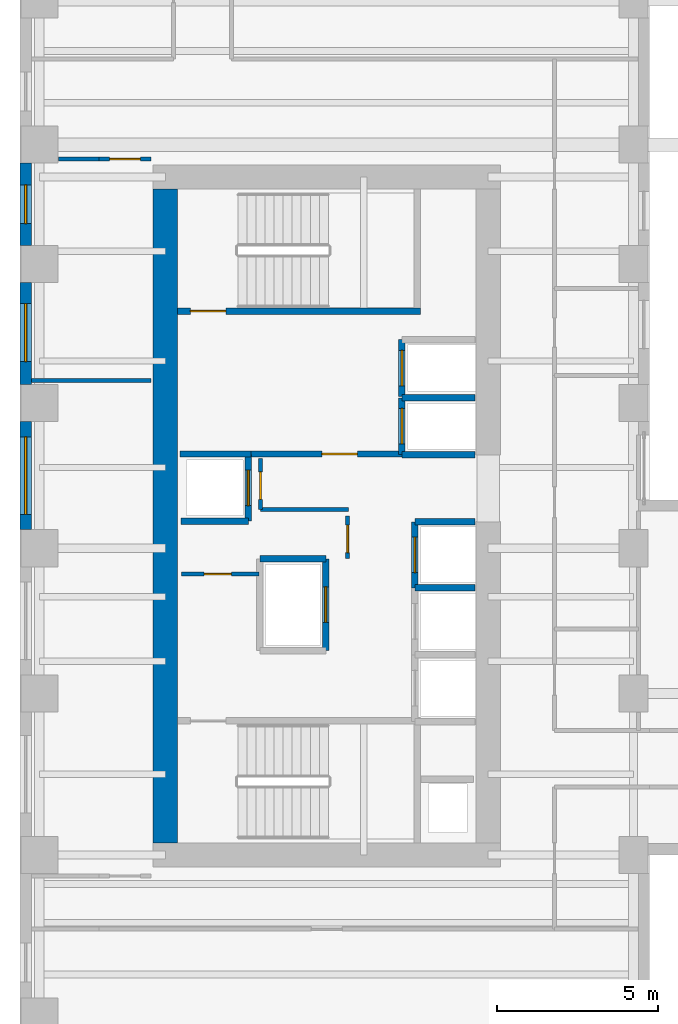
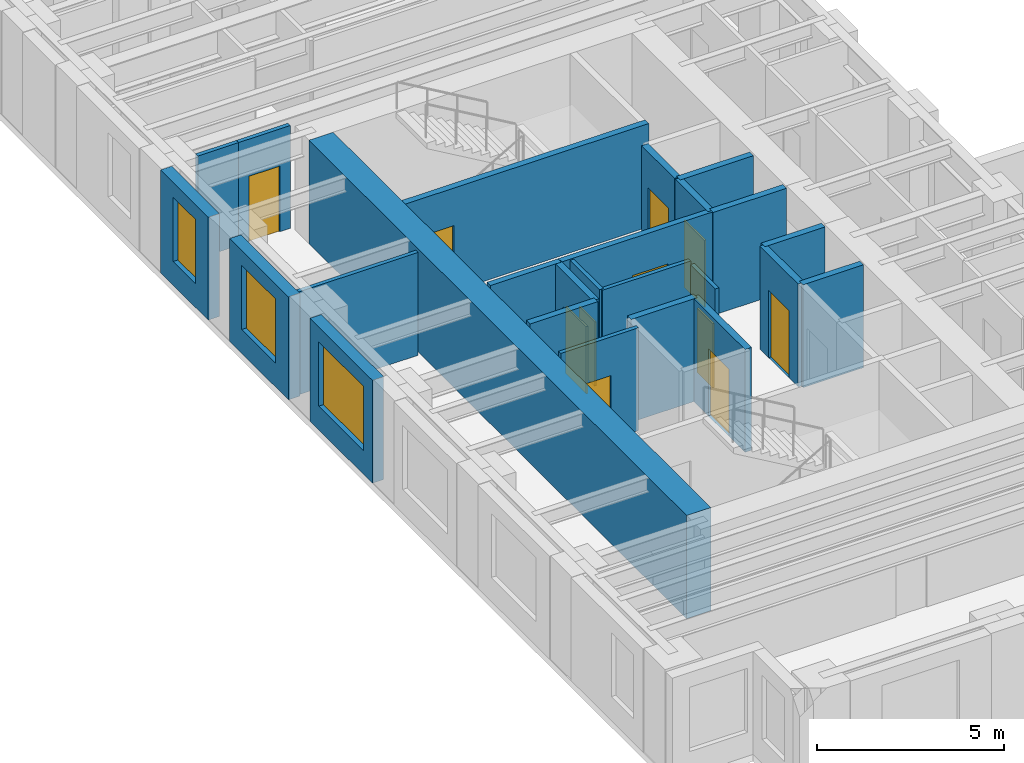
# One storey, part 7 of 13: 25 walls, 11 doors, 3 windows, 14 openings.
"""IFC4 building model written with IfcOpenShell, lengths in metres."""

from ifc_helpers import new_model, si_unit, direction, frame, frame_2d, origin, place, context, subcontext, project, spatial, rectangle, extrude, source, transform, mapped, material, layer, layer_set, type_object, element, fill, save


model = new_model("IFC4")

# Units and contexts
model_context = context("Model", 3, precision=1e-05, world=origin(), true_north=direction((0.0, 1.0)))
body_context = subcontext(model_context, "Body", "Model", "MODEL_VIEW")
ifc_project = project(units=[si_unit("LENGTHUNIT", "METRE"), si_unit("AREAUNIT", "SQUARE_METRE"), si_unit("VOLUMEUNIT", "CUBIC_METRE"), si_unit("PLANEANGLEUNIT", "RADIAN"), si_unit("MASSUNIT", "GRAM", prefix="KILO")], contexts=[model_context])

# Site, building, storey
site_placement = place(None, origin())
site = spatial("IfcSite", under=ifc_project, at=site_placement, CompositionType="ELEMENT")
building_placement = place(site_placement, origin())
building = spatial("IfcBuilding", under=site, at=building_placement, Name="Kharzan Plaza Tower", CompositionType="ELEMENT")
storey_placement = place(building_placement, frame((0.0, 0.0, 109.800048828125)))
storey = spatial("IfcBuildingStorey", under=building, at=storey_placement, Name="L29", CompositionType="ELEMENT", Elevation=109.800048828125)

# Wall, opening, window
ifc_material_1 = material(Name="Concrete C40/50", Category="concrete")
ifc_layer_1 = layer(ifc_material_1, 0.35009765625)
ifc_layer_set_1 = layer_set([ifc_layer_1], Name="Concrete C40/50")
wall_type_1 = type_object("IfcWallType", Name="WL-EXT-MAS-Z2", PredefinedType="SOLIDWALL", material=ifc_layer_set_1)
wall_1_placement = place(storey_placement, frame((0.175048828125, 29.927001953125, 0.0), z_axis=(0.0, 0.0, 1.0), x_axis=(0.0, -1.0, 0.0)))
wall_1 = element("IfcWall", 1, at=wall_1_placement, inside=storey, type_object=wall_type_1, Name="L29 Masonry-Frame Exterior Wall 20", PredefinedType="SOLIDWALL", context=body_context, shape_type="SweptSolid", body=[
    extrude(rectangle(XDim=2.553955078125, YDim=0.35009765625, at=frame_2d((1.27685546875, 0.0))), origin(), (0.0, 0.0, 1.0), 3.364990234375),
])
opening_1_placement = place(wall_1_placement, frame((0.677001953125, 0.0, 0.780029296875)))
opening_1 = element("IfcOpeningElement", 2, at=opening_1_placement, cuts=wall_1, Name="Opening W3", PredefinedType="OPENING", context=body_context, shape_type="SweptSolid", body=[
    extrude(rectangle(XDim=1.199951171875, YDim=2.10009765625, at=frame_2d((0.60009765625, 1.050048828125))), frame((0.0, 0.18505859375, 0.0), z_axis=(0.0, -1.0, 0.0), x_axis=(1.0, 0.0, 0.0)), (0.0, 0.0, 1.0), 0.3701171875),
])
ifc_material_2 = material(Name="Low-E Double Glazing", Category="glass")
window_type_1 = type_object("IfcWindowType", Name="WN-REC-1200x2100", PartitioningType="SINGLE_PANEL", PredefinedType="WINDOW", material=ifc_material_2)
shared_shape_1 = source(origin(), body_context, "Body", "SweptSolid", [
    extrude(rectangle(XDim=1.199951171875, YDim=2.10009765625, at=frame_2d((0.60009765625, 1.050048828125))), frame((0.0, 0.030029296875, 0.0), z_axis=(0.0, -1.0, 0.0), x_axis=(1.0, 0.0, 0.0)), (0.0, 0.0, 1.0), 0.06005859375),
])
window_1_placement = place(opening_1_placement, origin())
window_1 = element("IfcWindow", 3, at=window_1_placement, inside=storey, type_object=window_type_1, Name="L29 Recessed Solar-Control Window 20-1", OverallHeight=2.10009765625, OverallWidth=1.199951171875, PartitioningType="SINGLE_PANEL", PredefinedType="WINDOW", context=body_context, shape_type="MappedRepresentation", body=[
    mapped(shared_shape_1, transform((0.0, 0.0, 0.0), x_axis=(1.0, 0.0, 0.0), y_axis=(0.0, 1.0, 0.0), z_axis=(0.0, 0.0, 1.0))),
])
fill(opening_1, window_1)

wall_2_placement = place(storey_placement, frame((0.175048828125, 26.22705078125, 0.0), z_axis=(0.0, 0.0, 1.0), x_axis=(0.0, -1.0, 0.0)))
wall_2 = element("IfcWall", 4, at=wall_2_placement, inside=storey, type_object=wall_type_1, Name="L29 Masonry-Frame Exterior Wall 21", PredefinedType="SOLIDWALL", context=body_context, shape_type="SweptSolid", body=[
    extrude(rectangle(XDim=3.154052734375, YDim=0.35009765625, at=frame_2d((1.5771484375, 0.0))), origin(), (0.0, 0.0, 1.0), 3.364990234375),
])
opening_2_placement = place(wall_2_placement, frame((0.6484375, 0.0, 0.780029296875)))
opening_2 = element("IfcOpeningElement", 5, at=opening_2_placement, cuts=wall_2, Name="Opening W1", PredefinedType="OPENING", context=body_context, shape_type="SweptSolid", body=[
    extrude(rectangle(XDim=1.800048828125, YDim=2.10009765625, at=frame_2d((0.89990234375, 1.050048828125))), frame((0.0, 0.18505859375, 0.0), z_axis=(0.0, -1.0, 0.0), x_axis=(1.0, 0.0, 0.0)), (0.0, 0.0, 1.0), 0.3701171875),
])
window_type_2 = type_object("IfcWindowType", Name="WN-REC-1800x2100", PartitioningType="SINGLE_PANEL", PredefinedType="WINDOW", material=ifc_material_2)
shared_shape_2 = source(origin(), body_context, "Body", "SweptSolid", [
    extrude(rectangle(XDim=1.800048828125, YDim=2.10009765625, at=frame_2d((0.89990234375, 1.050048828125))), frame((0.0, 0.030029296875, 0.0), z_axis=(0.0, -1.0, 0.0), x_axis=(1.0, 0.0, 0.0)), (0.0, 0.0, 1.0), 0.06005859375),
])
window_2_placement = place(opening_2_placement, origin())
window_2 = element("IfcWindow", 6, at=window_2_placement, inside=storey, type_object=window_type_2, Name="L29 Recessed Solar-Control Window 21-1", OverallHeight=2.10009765625, OverallWidth=1.800048828125, PartitioningType="SINGLE_PANEL", PredefinedType="WINDOW", context=body_context, shape_type="MappedRepresentation", body=[
    mapped(shared_shape_2, transform((0.0, 0.0, 0.0), x_axis=(1.0, 0.0, 0.0), y_axis=(0.0, 1.0, 0.0), z_axis=(0.0, 0.0, 1.0))),
])
fill(opening_2, window_2)

wall_3_placement = place(storey_placement, frame((0.175048828125, 21.927001953125, 0.0), z_axis=(0.0, 0.0, 1.0), x_axis=(0.0, -1.0, 0.0)))
wall_3 = element("IfcWall", 7, at=wall_3_placement, inside=storey, type_object=wall_type_1, Name="L29 Masonry-Frame Exterior Wall 22", PredefinedType="SOLIDWALL", context=body_context, shape_type="SweptSolid", body=[
    extrude(rectangle(XDim=3.35400390625, YDim=0.35009765625, at=frame_2d((1.677001953125, 0.0))), origin(), (0.0, 0.0, 1.0), 3.364990234375),
])
opening_3_placement = place(wall_3_placement, frame((0.47705078125, 0.0, 0.780029296875)))
opening_3 = element("IfcOpeningElement", 8, at=opening_3_placement, cuts=wall_3, Name="Opening W2", PredefinedType="OPENING", context=body_context, shape_type="SweptSolid", body=[
    extrude(rectangle(XDim=2.39990234375, YDim=2.10009765625, at=frame_2d((1.199951171875, 1.050048828125))), frame((0.0, 0.18505859375, 0.0), z_axis=(0.0, -1.0, 0.0), x_axis=(1.0, 0.0, 0.0)), (0.0, 0.0, 1.0), 0.3701171875),
])
window_type_3 = type_object("IfcWindowType", Name="WN-REC-2400x2100", PartitioningType="SINGLE_PANEL", PredefinedType="WINDOW", material=ifc_material_2)
shared_shape_3 = source(origin(), body_context, "Body", "SweptSolid", [
    extrude(rectangle(XDim=2.39990234375, YDim=2.10009765625, at=frame_2d((1.199951171875, 1.050048828125))), frame((0.0, 0.030029296875, 0.0), z_axis=(0.0, -1.0, 0.0), x_axis=(1.0, 0.0, 0.0)), (0.0, 0.0, 1.0), 0.06005859375),
])
window_3_placement = place(opening_3_placement, origin())
window_3 = element("IfcWindow", 9, at=window_3_placement, inside=storey, type_object=window_type_3, Name="L29 Wide Recessed Solar-Control Window 22-1", OverallHeight=2.10009765625, OverallWidth=2.39990234375, PartitioningType="SINGLE_PANEL", PredefinedType="WINDOW", context=body_context, shape_type="MappedRepresentation", body=[
    mapped(shared_shape_3, transform((0.0, 0.0, 0.0), x_axis=(1.0, 0.0, 0.0), y_axis=(0.0, 1.0, 0.0), z_axis=(0.0, 0.0, 1.0))),
])
fill(opening_3, window_3)

# Wall, opening, door
ifc_layer_2 = layer(ifc_material_1, 0.179931640625)
ifc_layer_set_2 = layer_set([ifc_layer_2], Name="Concrete C40/50")
wall_type_2 = type_object("IfcWallType", Name="WL-INT-FIRE-180", PredefinedType="PARTITIONING", material=ifc_layer_set_2)
wall_4_placement = place(storey_placement, frame((7.14990234375, 20.919921875, 0.0), z_axis=(0.0, 0.0, 1.0), x_axis=(1.0, 0.0, 0.0)))
wall_4 = element("IfcWall", 10, at=wall_4_placement, inside=storey, type_object=wall_type_2, Name="L29 Interior Partition CA-FF-S", PredefinedType="PARTITIONING", context=body_context, shape_type="SweptSolid", body=[
    extrude(rectangle(XDim=4.68017578125, YDim=0.179931640625, at=frame_2d((2.340087890625, 0.0))), origin(), (0.0, 0.0, 1.0), 3.364990234375),
])
opening_4_placement = place(wall_4_placement, frame((2.199951171875, 0.0, 0.0)))
opening_4 = element("IfcOpeningElement", 11, at=opening_4_placement, cuts=wall_4, Name="Opening FD1", PredefinedType="OPENING", context=body_context, shape_type="SweptSolid", body=[
    extrude(rectangle(XDim=1.10009765625, YDim=2.14990234375, at=frame_2d((0.550048828125, 1.074951171875))), frame((0.0, 0.099853515625, 0.0), z_axis=(0.0, -1.0, 0.0), x_axis=(1.0, 0.0, 0.0)), (0.0, 0.0, 1.0), 0.199951171875),
])
ifc_material_3 = material(Name="Fire-Rated Acoustic Vision-Panel Steel", Category="steel")
door_type_1 = type_object("IfcDoorType", Name="DR-FIRE-LOBBY", OperationType="NOTDEFINED", PredefinedType="DOOR", material=ifc_material_3)
shared_shape_4 = source(origin(), body_context, "Body", "SweptSolid", [
    extrude(rectangle(XDim=1.10009765625, YDim=2.14990234375, at=frame_2d((0.550048828125, 1.074951171875))), frame((0.0, 0.02490234375, 0.0), z_axis=(0.0, -1.0, 0.0), x_axis=(1.0, 0.0, 0.0)), (0.0, 0.0, 1.0), 0.050048828125),
])
door_1_placement = place(opening_4_placement, origin())
door_1 = element("IfcDoor", 12, at=door_1_placement, inside=storey, type_object=door_type_1, Name="L29 Firefighting Lobby Door", OperationType="SINGLE_SWING_LEFT", OverallHeight=2.14990234375, OverallWidth=1.10009765625, PredefinedType="DOOR", context=body_context, shape_type="MappedRepresentation", body=[
    mapped(shared_shape_4, transform((0.0, 0.0, 0.0), x_axis=(1.0, 0.0, 0.0), y_axis=(0.0, 1.0, 0.0), z_axis=(0.0, 0.0, 1.0))),
])
fill(opening_4, door_1)

ifc_material_4 = material(Name="Fire-Rated Gypsum Board Partition", Category="gypsum")
ifc_layer_3 = layer(ifc_material_4, 0.125)
ifc_layer_set_3 = layer_set([ifc_layer_3], Name="Fire-Rated Gypsum Board Partition")
wall_type_3 = type_object("IfcWallType", Name="WL-INT-PART-125", PredefinedType="PARTITIONING", material=ifc_layer_set_3)
wall_5_placement = place(storey_placement, frame((10.14990234375, 17.679931640625, 0.0), z_axis=(0.0, 0.0, 1.0), x_axis=(0.0, 1.0, 0.0)))
wall_5 = element("IfcWall", 13, at=wall_5_placement, inside=storey, type_object=wall_type_3, Name="L29 Interior Partition CA-K2A", PredefinedType="PARTITIONING", context=body_context, shape_type="SweptSolid", body=[
    extrude(rectangle(XDim=1.320068359375, YDim=0.125, at=frame_2d((0.66015625, 0.0))), origin(), (0.0, 0.0, 1.0), 3.364990234375),
])
opening_5_placement = place(wall_5_placement, frame((0.18505859375, 0.0, 0.0)))
opening_5 = element("IfcOpeningElement", 14, at=opening_5_placement, cuts=wall_5, Name="Opening RD1", PredefinedType="OPENING", context=body_context, shape_type="SweptSolid", body=[
    extrude(rectangle(XDim=0.85009765625, YDim=2.10009765625, at=frame_2d((0.425048828125, 1.050048828125))), frame((0.0, 0.072509765625, 0.0), z_axis=(0.0, -1.0, 0.0), x_axis=(1.0, 0.0, 0.0)), (0.0, 0.0, 1.0), 0.14501953125),
])
ifc_material_5 = material(Name="Powder-Coated Fire-Rated Steel", Category="steel")
door_type_2 = type_object("IfcDoorType", Name="DR-RISER-900", OperationType="NOTDEFINED", PredefinedType="DOOR", material=ifc_material_5)
shared_shape_5 = source(origin(), body_context, "Body", "SweptSolid", [
    extrude(rectangle(XDim=0.85009765625, YDim=2.10009765625, at=frame_2d((0.425048828125, 1.050048828125))), frame((0.0, 0.02490234375, 0.0), z_axis=(0.0, -1.0, 0.0), x_axis=(1.0, 0.0, 0.0)), (0.0, 0.0, 1.0), 0.050048828125),
])
door_2_placement = place(opening_5_placement, origin())
door_2 = element("IfcDoor", 15, at=door_2_placement, inside=storey, type_object=door_type_2, Name="L29 Core Mechanical Store Door", OperationType="SINGLE_SWING_RIGHT", OverallHeight=2.10009765625, OverallWidth=0.85009765625, PredefinedType="DOOR", context=body_context, shape_type="MappedRepresentation", body=[
    mapped(shared_shape_5, transform((0.0, 0.0, 0.0), x_axis=(1.0, 0.0, 0.0), y_axis=(0.0, 1.0, 0.0), z_axis=(0.0, 0.0, 1.0))),
])
fill(opening_5, door_2)

wall_6_placement = place(storey_placement, frame((7.449951171875, 19.199951171875, 0.0), z_axis=(0.0, 0.0, 1.0), x_axis=(0.0, 1.0, 0.0)))
wall_6 = element("IfcWall", 16, at=wall_6_placement, inside=storey, type_object=wall_type_3, Name="L29 Interior Partition CA-K2B", PredefinedType="PARTITIONING", context=body_context, shape_type="SweptSolid", body=[
    extrude(rectangle(XDim=1.580078125, YDim=0.125, at=frame_2d((0.7900390625, 0.0))), origin(), (0.0, 0.0, 1.0), 3.364990234375),
])
opening_6_placement = place(wall_6_placement, frame((0.31494140625, 0.0, 0.0)))
opening_6 = element("IfcOpeningElement", 17, at=opening_6_placement, cuts=wall_6, Name="Opening RD1", PredefinedType="OPENING", context=body_context, shape_type="SweptSolid", body=[
    extrude(rectangle(XDim=0.85009765625, YDim=2.10009765625, at=frame_2d((0.425048828125, 1.050048828125))), frame((0.0, 0.072509765625, 0.0), z_axis=(0.0, -1.0, 0.0), x_axis=(1.0, 0.0, 0.0)), (0.0, 0.0, 1.0), 0.14501953125),
])
door_3_placement = place(opening_6_placement, origin())
door_3 = element("IfcDoor", 18, at=door_3_placement, inside=storey, type_object=door_type_2, Name="L29 Core Plant Store Door", OperationType="SINGLE_SWING_LEFT", OverallHeight=2.10009765625, OverallWidth=0.85009765625, PredefinedType="DOOR", context=body_context, shape_type="MappedRepresentation", body=[
    mapped(shared_shape_5, transform((0.0, 0.0, 0.0), x_axis=(1.0, 0.0, 0.0), y_axis=(0.0, 1.0, 0.0), z_axis=(0.0, 0.0, 1.0))),
])
fill(opening_6, door_3)

wall_7_placement = place(storey_placement, frame((5.0, 17.199951171875, 0.0), z_axis=(0.0, 0.0, 1.0), x_axis=(1.0, 0.0, 0.0)))
wall_7 = element("IfcWall", 19, at=wall_7_placement, inside=storey, type_object=wall_type_3, Name="L29 Interior Partition CA-K2N0", PredefinedType="PARTITIONING", context=body_context, shape_type="SweptSolid", body=[
    extrude(rectangle(XDim=2.39990234375, YDim=0.125, at=frame_2d((1.199951171875, 0.0))), origin(), (0.0, 0.0, 1.0), 3.364990234375),
])
opening_7_placement = place(wall_7_placement, frame((0.699951171875, 0.0, 0.0)))
opening_7 = element("IfcOpeningElement", 20, at=opening_7_placement, cuts=wall_7, Name="Opening RD1", PredefinedType="OPENING", context=body_context, shape_type="SweptSolid", body=[
    extrude(rectangle(XDim=0.85009765625, YDim=2.10009765625, at=frame_2d((0.425048828125, 1.050048828125))), frame((0.0, 0.072509765625, 0.0), z_axis=(0.0, -1.0, 0.0), x_axis=(1.0, 0.0, 0.0)), (0.0, 0.0, 1.0), 0.14501953125),
])
door_4_placement = place(opening_7_placement, origin())
door_4 = element("IfcDoor", 21, at=door_4_placement, inside=storey, type_object=door_type_2, Name="L29 Core Electrical Store Door", OperationType="SINGLE_SWING_LEFT", OverallHeight=2.10009765625, OverallWidth=0.85009765625, PredefinedType="DOOR", context=body_context, shape_type="MappedRepresentation", body=[
    mapped(shared_shape_5, transform((0.0, 0.0, 0.0), x_axis=(1.0, 0.0, 0.0), y_axis=(0.0, 1.0, 0.0), z_axis=(0.0, 0.0, 1.0))),
])
fill(opening_7, door_4)

wall_8_placement = place(storey_placement, frame((2.449951171875, 30.050048828125, 0.0), z_axis=(0.0, 0.0, 1.0), x_axis=(1.0, 0.0, 0.0)))
wall_8 = element("IfcWall", 22, at=wall_8_placement, inside=storey, type_object=wall_type_3, Name="L29 Interior Partition SH-RWND", PredefinedType="PARTITIONING", context=body_context, shape_type="SweptSolid", body=[
    extrude(rectangle(XDim=1.60009765625, YDim=0.125, at=frame_2d((0.800048828125, 0.0))), origin(), (0.0, 0.0, 1.0), 3.364990234375),
])
opening_8_placement = place(wall_8_placement, frame((0.324951171875, 0.0, 0.0)))
opening_8 = element("IfcOpeningElement", 23, at=opening_8_placement, cuts=wall_8, Name="Opening OD1", PredefinedType="OPENING", context=body_context, shape_type="SweptSolid", body=[
    extrude(rectangle(XDim=0.949951171875, YDim=2.14990234375, at=frame_2d((0.47509765625, 1.074951171875))), frame((0.0, 0.072509765625, 0.0), z_axis=(0.0, -1.0, 0.0), x_axis=(1.0, 0.0, 0.0)), (0.0, 0.0, 1.0), 0.14501953125),
])
ifc_material_6 = material(Name="Acoustic Solid-Core Stained Oak", Category="timber")
door_type_3 = type_object("IfcDoorType", Name="DR-OFF-SINGLE", OperationType="NOTDEFINED", PredefinedType="DOOR", material=ifc_material_6)
shared_shape_6 = source(origin(), body_context, "Body", "SweptSolid", [
    extrude(rectangle(XDim=0.949951171875, YDim=2.14990234375, at=frame_2d((0.47509765625, 1.074951171875))), frame((0.0, 0.02490234375, 0.0), z_axis=(0.0, -1.0, 0.0), x_axis=(1.0, 0.0, 0.0)), (0.0, 0.0, 1.0), 0.050048828125),
])
door_5_placement = place(opening_8_placement, origin())
door_5 = element("IfcDoor", 24, at=door_5_placement, inside=storey, type_object=door_type_3, Name="L29 West Office 2 Door", OperationType="SINGLE_SWING_LEFT", OverallHeight=2.14990234375, OverallWidth=0.949951171875, PredefinedType="DOOR", context=body_context, shape_type="MappedRepresentation", body=[
    mapped(shared_shape_6, transform((0.0, 0.0, 0.0), x_axis=(1.0, 0.0, 0.0), y_axis=(0.0, 1.0, 0.0), z_axis=(0.0, 0.0, 1.0))),
])
fill(opening_8, door_5)

ifc_layer_4 = layer(ifc_material_1, 0.199951171875)
ifc_layer_set_4 = layer_set([ifc_layer_4], Name="Concrete C40/50")
wall_type_4 = type_object("IfcWallType", Name="WL-INT-SHAFT-200", PredefinedType="PARTITIONING", material=ifc_layer_set_4)
wall_9_placement = place(storey_placement, frame((11.830078125, 20.89990234375, 0.0), z_axis=(0.0, 0.0, 1.0), x_axis=(0.0, 1.0, 0.0)))
wall_9 = element("IfcWall", 25, at=wall_9_placement, inside=storey, type_object=wall_type_4, Name="L29 Interior Partition SHF-FFL-1-W", PredefinedType="PARTITIONING", context=body_context, shape_type="SweptSolid", body=[
    extrude(rectangle(XDim=1.760009765625, YDim=0.199951171875, at=frame_2d((0.8798828125, 0.0))), origin(), (0.0, 0.0, 1.0), 3.364990234375),
])
opening_9_placement = place(wall_9_placement, frame((0.330078125, 0.0, 0.0)))
opening_9 = element("IfcOpeningElement", 26, at=opening_9_placement, cuts=wall_9, Name="Opening LD", PredefinedType="OPENING", context=body_context, shape_type="SweptSolid", body=[
    extrude(rectangle(XDim=1.10009765625, YDim=2.199951171875, at=frame_2d((0.550048828125, 1.10009765625))), frame((0.0, 0.10986328125, 0.0), z_axis=(0.0, -1.0, 0.0), x_axis=(1.0, 0.0, 0.0)), (0.0, 0.0, 1.0), 0.219970703125),
])
ifc_material_7 = material(Name="Brushed Stainless Steel", Category="steel")
door_type_4 = type_object("IfcDoorType", Name="DR-LIFT-SLIDE", OperationType="SLIDING_TO_LEFT", PredefinedType="DOOR", material=ifc_material_7)
shared_shape_7 = source(origin(), body_context, "Body", "SweptSolid", [
    extrude(rectangle(XDim=1.10009765625, YDim=2.199951171875, at=frame_2d((0.550048828125, 1.10009765625))), frame((0.0, 0.02490234375, 0.0), z_axis=(0.0, -1.0, 0.0), x_axis=(1.0, 0.0, 0.0)), (0.0, 0.0, 1.0), 0.050048828125),
])
door_6_placement = place(opening_9_placement, origin())
door_6 = element("IfcDoor", 27, at=door_6_placement, inside=storey, type_object=door_type_4, Name="L29 Firefighting Lift FFL-1 Sliding Landing Door", OperationType="SLIDING_TO_LEFT", OverallHeight=2.199951171875, OverallWidth=1.10009765625, PredefinedType="DOOR", context=body_context, shape_type="MappedRepresentation", body=[
    mapped(shared_shape_7, transform((0.0, 0.0, 0.0), x_axis=(1.0, 0.0, 0.0), y_axis=(0.0, 1.0, 0.0), z_axis=(0.0, 0.0, 1.0))),
])
fill(opening_9, door_6)

wall_10_placement = place(storey_placement, frame((11.830078125, 22.699951171875, 0.0), z_axis=(0.0, 0.0, 1.0), x_axis=(0.0, 1.0, 0.0)))
wall_10 = element("IfcWall", 28, at=wall_10_placement, inside=storey, type_object=wall_type_4, Name="L29 Interior Partition SHF-FFL-2-W", PredefinedType="PARTITIONING", context=body_context, shape_type="SweptSolid", body=[
    extrude(rectangle(XDim=1.760009765625, YDim=0.199951171875, at=frame_2d((0.8798828125, 0.0))), origin(), (0.0, 0.0, 1.0), 3.364990234375),
])
opening_10_placement = place(wall_10_placement, frame((0.330078125, 0.0, 0.0)))
opening_10 = element("IfcOpeningElement", 29, at=opening_10_placement, cuts=wall_10, Name="Opening LD", PredefinedType="OPENING", context=body_context, shape_type="SweptSolid", body=[
    extrude(rectangle(XDim=1.10009765625, YDim=2.199951171875, at=frame_2d((0.550048828125, 1.10009765625))), frame((0.0, 0.10986328125, 0.0), z_axis=(0.0, -1.0, 0.0), x_axis=(1.0, 0.0, 0.0)), (0.0, 0.0, 1.0), 0.219970703125),
])
door_7_placement = place(opening_10_placement, origin())
door_7 = element("IfcDoor", 30, at=door_7_placement, inside=storey, type_object=door_type_4, Name="L29 Firefighting Lift FFL-2 Sliding Landing Door", OperationType="SLIDING_TO_LEFT", OverallHeight=2.199951171875, OverallWidth=1.10009765625, PredefinedType="DOOR", context=body_context, shape_type="MappedRepresentation", body=[
    mapped(shared_shape_7, transform((0.0, 0.0, 0.0), x_axis=(1.0, 0.0, 0.0), y_axis=(0.0, 1.0, 0.0), z_axis=(0.0, 0.0, 1.0))),
])
fill(opening_10, door_7)

wall_11_placement = place(storey_placement, frame((12.22998046875, 16.77001953125, 0.0), z_axis=(0.0, 0.0, 1.0), x_axis=(0.0, 1.0, 0.0)))
wall_11 = element("IfcWall", 31, at=wall_11_placement, inside=storey, type_object=wall_type_4, Name="L29 Interior Partition SHF-PL-H3-W", PredefinedType="PARTITIONING", context=body_context, shape_type="SweptSolid", body=[
    extrude(rectangle(XDim=2.050048828125, YDim=0.199951171875, at=frame_2d((1.02490234375, 0.0))), origin(), (0.0, 0.0, 1.0), 3.364990234375),
])
opening_11_placement = place(wall_11_placement, frame((0.47509765625, 0.0, 0.0)))
opening_11 = element("IfcOpeningElement", 32, at=opening_11_placement, cuts=wall_11, Name="Opening LD", PredefinedType="OPENING", context=body_context, shape_type="SweptSolid", body=[
    extrude(rectangle(XDim=1.10009765625, YDim=2.199951171875, at=frame_2d((0.550048828125, 1.10009765625))), frame((0.0, 0.10986328125, 0.0), z_axis=(0.0, -1.0, 0.0), x_axis=(1.0, 0.0, 0.0)), (0.0, 0.0, 1.0), 0.219970703125),
])
door_8_placement = place(opening_11_placement, origin())
door_8 = element("IfcDoor", 33, at=door_8_placement, inside=storey, type_object=door_type_4, Name="L29 High-Rise Passenger Lift PL-H3 Sliding Landing Door", OperationType="SLIDING_TO_LEFT", OverallHeight=2.199951171875, OverallWidth=1.10009765625, PredefinedType="DOOR", context=body_context, shape_type="MappedRepresentation", body=[
    mapped(shared_shape_7, transform((0.0, 0.0, 0.0), x_axis=(1.0, 0.0, 0.0), y_axis=(0.0, 1.0, 0.0), z_axis=(0.0, 0.0, 1.0))),
])
fill(opening_11, door_8)

wall_12_placement = place(storey_placement, frame((7.070068359375, 18.840087890625, 0.0), z_axis=(0.0, 0.0, 1.0), x_axis=(0.0, 1.0, 0.0)))
wall_12 = element("IfcWall", 34, at=wall_12_placement, inside=storey, type_object=wall_type_4, Name="L29 Interior Partition SHF-PL-H4-E", PredefinedType="PARTITIONING", context=body_context, shape_type="SweptSolid", body=[
    extrude(rectangle(XDim=2.059814453125, YDim=0.199951171875, at=frame_2d((1.02978515625, 0.0))), origin(), (0.0, 0.0, 1.0), 3.364990234375),
])
opening_12_placement = place(wall_12_placement, frame((0.47998046875, 0.0, 0.0)))
opening_12 = element("IfcOpeningElement", 35, at=opening_12_placement, cuts=wall_12, Name="Opening LD", PredefinedType="OPENING", context=body_context, shape_type="SweptSolid", body=[
    extrude(rectangle(XDim=1.10009765625, YDim=2.199951171875, at=frame_2d((0.550048828125, 1.10009765625))), frame((0.0, 0.10986328125, 0.0), z_axis=(0.0, -1.0, 0.0), x_axis=(1.0, 0.0, 0.0)), (0.0, 0.0, 1.0), 0.219970703125),
])
door_9_placement = place(opening_12_placement, origin())
door_9 = element("IfcDoor", 36, at=door_9_placement, inside=storey, type_object=door_type_4, Name="L29 High-Rise Passenger Lift PL-H4 Sliding Landing Door", OperationType="SLIDING_TO_LEFT", OverallHeight=2.199951171875, OverallWidth=1.10009765625, PredefinedType="DOOR", context=body_context, shape_type="MappedRepresentation", body=[
    mapped(shared_shape_7, transform((0.0, 0.0, 0.0), x_axis=(1.0, 0.0, 0.0), y_axis=(0.0, 1.0, 0.0), z_axis=(0.0, 0.0, 1.0))),
])
fill(opening_12, door_9)

wall_13_placement = place(storey_placement, frame((9.469970703125, 14.830078125, 0.0), z_axis=(0.0, 0.0, 1.0), x_axis=(0.0, 1.0, 0.0)))
wall_13 = element("IfcWall", 37, at=wall_13_placement, inside=storey, type_object=wall_type_4, Name="L29 Interior Partition SHF-SVL-1-E", PredefinedType="PARTITIONING", context=body_context, shape_type="SweptSolid", body=[
    extrude(rectangle(XDim=2.83984375, YDim=0.199951171875, at=frame_2d((1.419921875, 0.0))), origin(), (0.0, 0.0, 1.0), 3.364990234375),
])
opening_13_placement = place(wall_13_placement, frame((0.8701171875, 0.0, 0.0)))
opening_13 = element("IfcOpeningElement", 38, at=opening_13_placement, cuts=wall_13, Name="Opening LD", PredefinedType="OPENING", context=body_context, shape_type="SweptSolid", body=[
    extrude(rectangle(XDim=1.10009765625, YDim=2.199951171875, at=frame_2d((0.550048828125, 1.10009765625))), frame((0.0, 0.10986328125, 0.0), z_axis=(0.0, -1.0, 0.0), x_axis=(1.0, 0.0, 0.0)), (0.0, 0.0, 1.0), 0.219970703125),
])
door_10_placement = place(opening_13_placement, origin())
door_10 = element("IfcDoor", 39, at=door_10_placement, inside=storey, type_object=door_type_4, Name="L29 Service Lift SVL-1 Sliding Landing Door", OperationType="SLIDING_TO_LEFT", OverallHeight=2.199951171875, OverallWidth=1.10009765625, PredefinedType="DOOR", context=body_context, shape_type="MappedRepresentation", body=[
    mapped(shared_shape_7, transform((0.0, 0.0, 0.0), x_axis=(1.0, 0.0, 0.0), y_axis=(0.0, 1.0, 0.0), z_axis=(0.0, 0.0, 1.0))),
])
fill(opening_13, door_10)

ifc_material_8 = material(Name="Concrete C50/60", Category="concrete")
ifc_layer_5 = layer(ifc_material_8, 0.199951171875)
ifc_layer_set_5 = layer_set([ifc_layer_5], Name="Concrete C50/60")
wall_type_5 = type_object("IfcWallType", Name="WL-SHAFT-RC200", PredefinedType="SHEAR", material=ifc_layer_set_5)
wall_14_placement = place(storey_placement, frame((4.876953125, 25.344970703125, 0.0), z_axis=(0.0, 0.0, 1.0), x_axis=(1.0, 0.0, 0.0)))
wall_14 = element("IfcWall", 40, at=wall_14_placement, inside=storey, type_object=wall_type_5, Name="L29 Stair ST-2 South RC Shaft Wall", PredefinedType="SHEAR", context=body_context, shape_type="SweptSolid", body=[
    extrude(rectangle(XDim=7.528076171875, YDim=0.199951171875, at=frame_2d((3.76416015625, 0.0))), origin(), (0.0, 0.0, 1.0), 3.3798828125),
])
opening_14_placement = place(wall_14_placement, frame((0.39990234375, 0.0, 0.0)))
opening_14 = element("IfcOpeningElement", 41, at=opening_14_placement, cuts=wall_14, Name="Opening SD1", PredefinedType="OPENING", context=body_context, shape_type="SweptSolid", body=[
    extrude(rectangle(XDim=1.10009765625, YDim=2.14990234375, at=frame_2d((0.550048828125, 1.074951171875))), frame((0.0, 0.10986328125, 0.0), z_axis=(0.0, -1.0, 0.0), x_axis=(1.0, 0.0, 0.0)), (0.0, 0.0, 1.0), 0.219970703125),
])
ifc_material_9 = material(Name="Fire-Rated Hollow Galvanized Steel", Category="steel")
door_type_5 = type_object("IfcDoorType", Name="DR-STAIR-FD120", OperationType="NOTDEFINED", PredefinedType="DOOR", material=ifc_material_9)
shared_shape_8 = source(origin(), body_context, "Body", "SweptSolid", [
    extrude(rectangle(XDim=1.10009765625, YDim=2.14990234375, at=frame_2d((0.550048828125, 1.074951171875))), frame((0.0, 0.02490234375, 0.0), z_axis=(0.0, -1.0, 0.0), x_axis=(1.0, 0.0, 0.0)), (0.0, 0.0, 1.0), 0.050048828125),
])
door_11_placement = place(opening_14_placement, origin())
door_11 = element("IfcDoor", 42, at=door_11_placement, inside=storey, type_object=door_type_5, Name="L29 Stair ST-2 Fire Exit Door", OperationType="SINGLE_SWING_RIGHT", OverallHeight=2.14990234375, OverallWidth=1.10009765625, PredefinedType="DOOR", context=body_context, shape_type="MappedRepresentation", body=[
    mapped(shared_shape_8, transform((0.0, 0.0, 0.0), x_axis=(1.0, 0.0, 0.0), y_axis=(0.0, 1.0, 0.0), z_axis=(0.0, 0.0, 1.0))),
])
fill(opening_14, door_11)

# Walls
shared_shape_9 = source(origin(), body_context, "Body", "SweptSolid", [
    extrude(rectangle(XDim=2.72998046875, YDim=0.125, at=frame_2d((1.364990234375, 0.0))), origin(), (0.0, 0.0, 1.0), 3.364990234375),
])
wall_15_placement = place(storey_placement, frame((7.449951171875, 19.199951171875, 0.0), z_axis=(0.0, 0.0, 1.0), x_axis=(1.0, 0.0, 0.0)))
element("IfcWall", 43, at=wall_15_placement, inside=storey, type_object=wall_type_3, Name="L29 Interior Partition CA-K2M", PredefinedType="PARTITIONING", context=body_context, shape_type="MappedRepresentation", body=[
    mapped(shared_shape_9, transform((0.0, 0.0, 0.0), x_axis=(1.0, 0.0, 0.0), y_axis=(0.0, 1.0, 0.0), z_axis=(0.0, 0.0, 1.0))),
])
shared_shape_10 = source(origin(), body_context, "Body", "SweptSolid", [
    extrude(rectangle(XDim=2.090087890625, YDim=0.199951171875, at=frame_2d((1.044921875, 0.0))), origin(), (0.0, 0.0, 1.0), 3.364990234375),
])
wall_16_placement = place(storey_placement, frame((4.97998046875, 18.840087890625, 0.0), z_axis=(0.0, 0.0, 1.0), x_axis=(1.0, 0.0, 0.0)))
element("IfcWall", 44, at=wall_16_placement, inside=storey, type_object=wall_type_4, Name="L29 Interior Partition SHF-PL-H4-S", PredefinedType="PARTITIONING", context=body_context, shape_type="MappedRepresentation", body=[
    mapped(shared_shape_10, transform((0.0, 0.0, 0.0), x_axis=(1.0, 0.0, 0.0), y_axis=(0.0, 1.0, 0.0), z_axis=(0.0, 0.0, 1.0))),
])
shared_shape_11 = source(origin(), body_context, "Body", "SweptSolid", [
    extrude(rectangle(XDim=2.0400390625, YDim=0.199951171875, at=frame_2d((1.02001953125, 0.0))), origin(), (0.0, 0.0, 1.0), 3.364990234375),
])
wall_17_placement = place(storey_placement, frame((7.429931640625, 17.669921875, 0.0), z_axis=(0.0, 0.0, 1.0), x_axis=(1.0, 0.0, 0.0)))
element("IfcWall", 45, at=wall_17_placement, inside=storey, type_object=wall_type_4, Name="L29 Interior Partition SHF-SVL-1-N", PredefinedType="PARTITIONING", context=body_context, shape_type="MappedRepresentation", body=[
    mapped(shared_shape_11, transform((0.0, 0.0, 0.0), x_axis=(1.0, 0.0, 0.0), y_axis=(0.0, 1.0, 0.0), z_axis=(0.0, 0.0, 1.0))),
])
shared_shape_12 = source(origin(), body_context, "Body", "SweptSolid", [
    extrude(rectangle(XDim=2.199951171875, YDim=0.179931640625, at=frame_2d((1.10009765625, 0.0))), origin(), (0.0, 0.0, 1.0), 3.364990234375),
])
wall_18_placement = place(storey_placement, frame((4.949951171875, 20.919921875, 0.0), z_axis=(0.0, 0.0, 1.0), x_axis=(1.0, 0.0, 0.0)))
element("IfcWall", 46, at=wall_18_placement, inside=storey, type_object=wall_type_2, Name="L29 Interior Partition CA-FF-SW", PredefinedType="PARTITIONING", context=body_context, shape_type="MappedRepresentation", body=[
    mapped(shared_shape_12, transform((0.0, 0.0, 0.0), x_axis=(1.0, 0.0, 0.0), y_axis=(0.0, 1.0, 0.0), z_axis=(0.0, 0.0, 1.0))),
])
shared_shape_13 = source(origin(), body_context, "Body", "SweptSolid", [
    extrude(rectangle(XDim=1.260009765625, YDim=0.125, at=frame_2d((0.6298828125, 0.0))), origin(), (0.0, 0.0, 1.0), 3.364990234375),
])
wall_19_placement = place(storey_placement, frame((1.18994140625, 30.050048828125, 0.0), z_axis=(0.0, 0.0, 1.0), x_axis=(1.0, 0.0, 0.0)))
element("IfcWall", 47, at=wall_19_placement, inside=storey, type_object=wall_type_3, Name="L29 Interior Partition SH-RWN0", PredefinedType="PARTITIONING", context=body_context, shape_type="MappedRepresentation", body=[
    mapped(shared_shape_13, transform((0.0, 0.0, 0.0), x_axis=(1.0, 0.0, 0.0), y_axis=(0.0, 1.0, 0.0), z_axis=(0.0, 0.0, 1.0))),
])
shared_shape_14 = source(origin(), body_context, "Body", "SweptSolid", [
    extrude(rectangle(XDim=3.697998046875, YDim=0.125, at=frame_2d((1.84912109375, 0.0))), origin(), (0.0, 0.0, 1.0), 3.364990234375),
])
wall_20_placement = place(storey_placement, frame((0.35205078125, 23.199951171875, 0.0), z_axis=(0.0, 0.0, 1.0), x_axis=(1.0, 0.0, 0.0)))
element("IfcWall", 48, at=wall_20_placement, inside=storey, type_object=wall_type_3, Name="L29 Interior Partition SH-WMID", PredefinedType="PARTITIONING", context=body_context, shape_type="MappedRepresentation", body=[
    mapped(shared_shape_14, transform((0.0, 0.0, 0.0), x_axis=(1.0, 0.0, 0.0), y_axis=(0.0, 1.0, 0.0), z_axis=(0.0, 0.0, 1.0))),
])
shared_shape_15 = source(origin(), body_context, "Body", "SweptSolid", [
    extrude(rectangle(XDim=2.264892578125, YDim=0.199951171875, at=frame_2d((1.13232421875, 0.0))), origin(), (0.0, 0.0, 1.0), 3.364990234375),
])
for number, where, z_axis, x_axis, name in (
    (49, (11.830078125, 22.659912109375, 0.0), (0.0, 0.0, 1.0), (1.0, 0.0, 0.0), "L29 Interior Partition SHF-FFL-1-N"),
    (50, (11.830078125, 20.89990234375, 0.0), (0.0, 0.0, 1.0), (1.0, 0.0, 0.0), "L29 Interior Partition SHF-FFL-1-S"),
):
    element("IfcWall", number, at=place(storey_placement, frame(where, z_axis=z_axis, x_axis=x_axis)), inside=storey, type_object=wall_type_4, Name=name, PredefinedType="PARTITIONING", context=body_context, shape_type="MappedRepresentation", body=[
        mapped(shared_shape_15, transform((0.0, 0.0, 0.0), x_axis=(1.0, 0.0, 0.0), y_axis=(0.0, 1.0, 0.0), z_axis=(0.0, 0.0, 1.0))),
    ])
shared_shape_16 = source(origin(), body_context, "Body", "SweptSolid", [
    extrude(rectangle(XDim=1.864990234375, YDim=0.199951171875, at=frame_2d((0.9326171875, 0.0))), origin(), (0.0, 0.0, 1.0), 3.364990234375),
])
for number, where, z_axis, x_axis, name in (
    (51, (12.22998046875, 16.77001953125, 0.0), (0.0, 0.0, 1.0), (1.0, 0.0, 0.0), "L29 Interior Partition SHF-PL-H2-N"),
    (52, (12.22998046875, 18.820068359375, 0.0), (0.0, 0.0, 1.0), (1.0, 0.0, 0.0), "L29 Interior Partition SHF-PL-H3-N"),
):
    element("IfcWall", number, at=place(storey_placement, frame(where, z_axis=z_axis, x_axis=x_axis)), inside=storey, type_object=wall_type_4, Name=name, PredefinedType="PARTITIONING", context=body_context, shape_type="MappedRepresentation", body=[
        mapped(shared_shape_16, transform((0.0, 0.0, 0.0), x_axis=(1.0, 0.0, 0.0), y_axis=(0.0, 1.0, 0.0), z_axis=(0.0, 0.0, 1.0))),
    ])
ifc_material_10 = material(Name="Concrete C60/75", Category="concrete")
ifc_layer_6 = layer(ifc_material_10, 0.75)
ifc_layer_set_6 = layer_set([ifc_layer_6], Name="Concrete C60/75")
wall_type_6 = type_object("IfcWallType", Name="WL-CORE-750", PredefinedType="SHEAR", material=ifc_layer_set_6)
shared_shape_17 = source(origin(), body_context, "Body", "SweptSolid", [
    extrude(rectangle(XDim=20.25, YDim=0.75, at=frame_2d((10.125, 0.0))), origin(), (0.0, 0.0, 1.0), 3.3798828125),
])
wall_21_placement = place(storey_placement, frame((4.5, 8.875, 0.0), z_axis=(0.0, 0.0, 1.0), x_axis=(0.0, 1.0, 0.0)))
element("IfcWall", 53, at=wall_21_placement, inside=storey, type_object=wall_type_6, Name="L29 CORE-A west RC shear wall", PredefinedType="SHEAR", context=body_context, shape_type="MappedRepresentation", body=[
    mapped(shared_shape_17, transform((0.0, 0.0, 0.0), x_axis=(1.0, 0.0, 0.0), y_axis=(0.0, 1.0, 0.0), z_axis=(0.0, 0.0, 1.0))),
])

save(model, "model.ifc")
